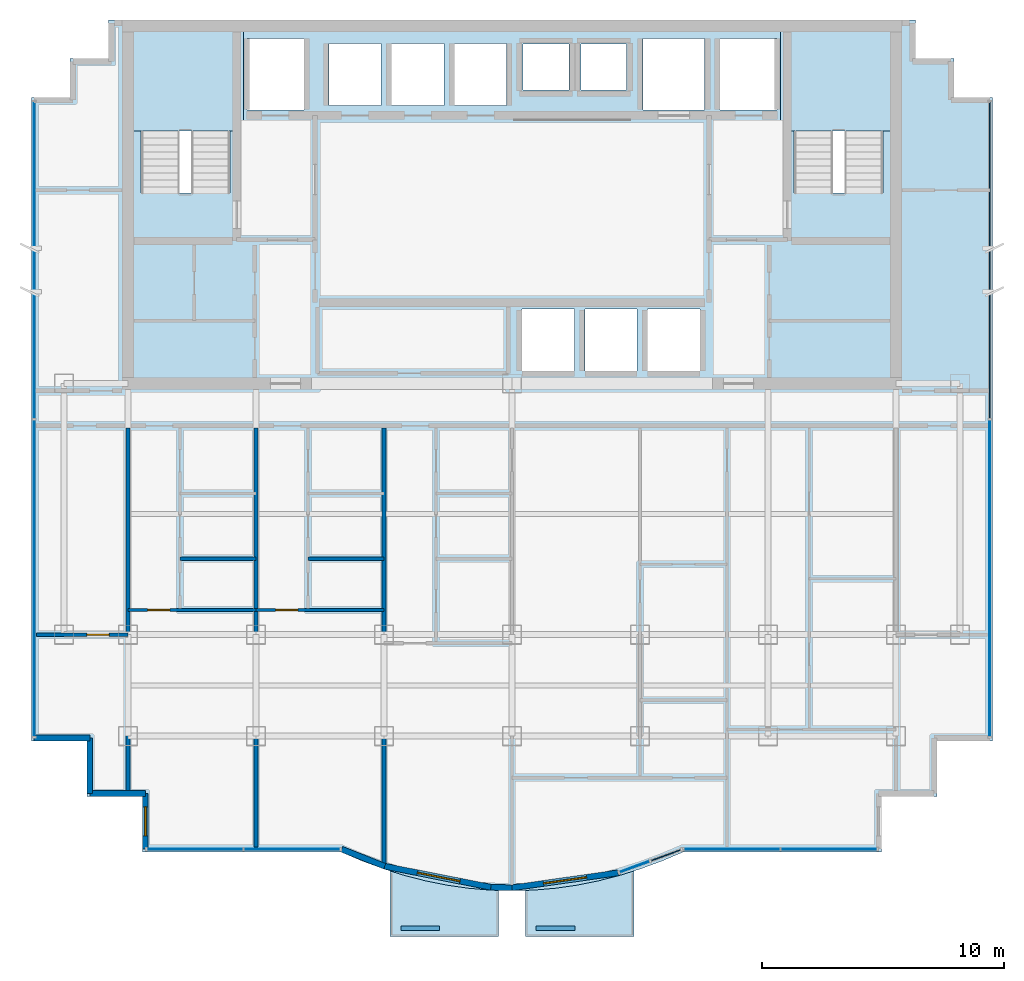
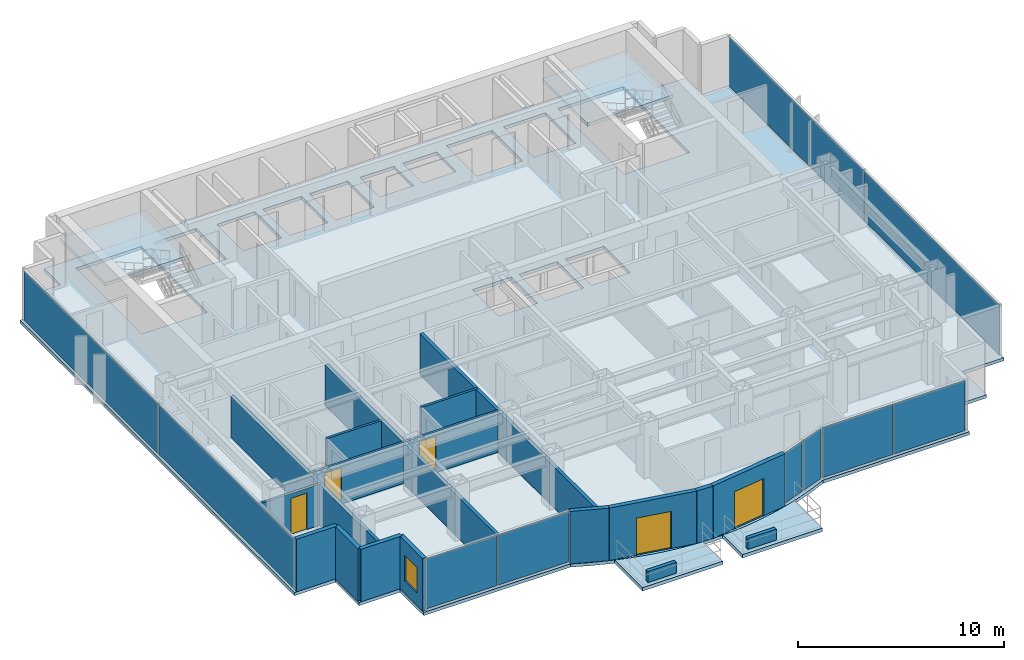
# One storey, part 6 of 12: 18 walls, 10 plates, 5 doors, 5 slabs, 1 window, 6 openings, 7 elements without a shape of their own.
"""IFC4 building model written with IfcOpenShell, lengths in metres."""

from ifc_helpers import new_model, si_unit, direction, frame, frame_2d, origin, origin_2d, place, context, subcontext, project, spatial, polyline, rectangle, outline, extrude, source, transform, mapped, material, layer, layer_set, type_object, element, fill, aggregate, save


model = new_model("IFC4")

# Units and contexts
model_context = context("Model", 3, precision=1e-05, world=origin(), true_north=direction((0.0, 1.0)))
body_context = subcontext(model_context, "Body", "Model", "MODEL_VIEW")
ifc_project = project(units=[si_unit("LENGTHUNIT", "METRE"), si_unit("AREAUNIT", "SQUARE_METRE"), si_unit("VOLUMEUNIT", "CUBIC_METRE"), si_unit("PLANEANGLEUNIT", "RADIAN"), si_unit("MASSUNIT", "GRAM", prefix="KILO")], contexts=[model_context])

# Site, building, storey
site_placement = place(None, origin())
site = spatial("IfcSite", under=ifc_project, at=site_placement, CompositionType="ELEMENT")
building_placement = place(site_placement, origin())
building = spatial("IfcBuilding", under=site, at=building_placement, Name="Qianlan Lanfeng Residences", CompositionType="ELEMENT")
storey_placement = place(building_placement, frame((0.0, 0.0, 196.699951171875)))
storey = spatial("IfcBuildingStorey", under=building, at=storey_placement, Name="L53", CompositionType="ELEMENT", Elevation=196.699951171875)

# Slabs
ifc_material_1 = material(Name="Concrete C42", Category="concrete")
ifc_layer_1 = layer(ifc_material_1, 0.199951171875)
ifc_layer_set_1 = layer_set([ifc_layer_1], Name="Concrete C42")
slab_type_1 = type_object("IfcSlabType", Name="S-BAL-200", PredefinedType="FLOOR", material=ifc_layer_set_1)
slab_1_placement = place(storey_placement, frame((0.0, 0.0, -0.199951171875)))
element("IfcSlab", 1, at=slab_1_placement, inside=storey, type_object=slab_type_1, Name="L53 Planted Tree Balcony Slab SB-W", PredefinedType="FLOOR", context=body_context, shape_type="SweptSolid", body=[
    extrude(outline(polyline([(25.949951171875, 4.216064453125), (25.614990234375, 4.22509765625), (24.72998046875, 4.300048828125), (23.844970703125, 4.425048828125), (22.9599609375, 4.60009765625), (22.074951171875, 4.824951171875), (21.449951171875, 5.01904296875), (21.449951171875, 2.300048828125), (25.949951171875, 2.300048828125), (25.949951171875, 4.216064453125)])), origin(), (0.0, 0.0, 1.0), 0.199951171875),
])
slab_2_placement = place(storey_placement, frame((0.0, 0.0, -0.199951171875)))
element("IfcSlab", 2, at=slab_2_placement, inside=storey, type_object=slab_type_1, Name="L53 Planted Tree Balcony Slab SB-E", PredefinedType="FLOOR", context=body_context, shape_type="SweptSolid", body=[
    extrude(outline(polyline([(31.550048828125, 5.01904296875), (30.925048828125, 4.824951171875), (30.0400390625, 4.60009765625), (29.155029296875, 4.425048828125), (28.27001953125, 4.300048828125), (27.385009765625, 4.22509765625), (27.050048828125, 4.216064453125), (27.050048828125, 2.300048828125), (31.550048828125, 2.300048828125), (31.550048828125, 5.01904296875)])), origin(), (0.0, 0.0, 1.0), 0.199951171875),
])
ifc_layer_2 = layer(ifc_material_1, 0.18994140625)
ifc_layer_set_2 = layer_set([ifc_layer_2], Name="Concrete C42")
slab_type_2 = type_object("IfcSlabType", Name="S-FL-190", PredefinedType="FLOOR", material=ifc_layer_set_2)
slab_3_placement = place(storey_placement, frame((0.0, 0.0, -0.18994140625)))
element("IfcSlab", 3, at=slab_3_placement, inside=storey, type_object=slab_type_2, Name="L53 Structural Floor Slab", PredefinedType="FLOOR", context=body_context, shape_type="SweptSolid", body=[
    extrude(outline(polyline([(6.60009765625, 10.39990234375), (8.89990234375, 10.39990234375), (8.89990234375, 8.10009765625), (11.199951171875, 8.10009765625), (11.199951171875, 5.800048828125), (19.419921875, 5.800048828125), (20.304931640625, 5.425048828125), (21.18994140625, 5.10009765625), (22.074951171875, 4.824951171875), (22.9599609375, 4.60009765625), (23.844970703125, 4.425048828125), (24.72998046875, 4.300048828125), (25.614990234375, 4.22509765625), (26.5, 4.199951171875), (27.385009765625, 4.22509765625), (28.27001953125, 4.300048828125), (29.155029296875, 4.425048828125), (30.0400390625, 4.60009765625), (30.925048828125, 4.824951171875), (31.81005859375, 5.10009765625), (32.695068359375, 5.425048828125), (33.580078125, 5.800048828125), (41.800048828125, 5.800048828125), (41.800048828125, 8.10009765625), (44.10009765625, 8.10009765625), (44.10009765625, 10.39990234375), (46.39990234375, 10.39990234375), (46.39990234375, 37.050048828125), (44.800048828125, 37.050048828125), (44.800048828125, 38.64990234375), (43.199951171875, 38.64990234375), (43.199951171875, 40.25), (9.800048828125, 40.25), (9.800048828125, 38.64990234375), (8.199951171875, 38.64990234375), (8.199951171875, 37.050048828125), (6.60009765625, 37.050048828125), (6.60009765625, 10.39990234375)]), holes=[polyline([(11.139892578125, 33.080078125), (11.139892578125, 39.5), (14.820068359375, 39.5), (14.820068359375, 33.080078125), (11.139892578125, 33.080078125)]), polyline([(38.179931640625, 33.080078125), (38.179931640625, 39.5), (41.860107421875, 39.5), (41.860107421875, 33.080078125), (38.179931640625, 33.080078125)]), polyline([(15.52001953125, 36.52001953125), (15.52001953125, 39.47998046875), (17.8798828125, 39.47998046875), (17.8798828125, 36.52001953125), (15.52001953125, 36.52001953125)]), polyline([(35.1201171875, 36.52001953125), (35.1201171875, 39.47998046875), (37.47998046875, 39.47998046875), (37.47998046875, 36.52001953125), (35.1201171875, 36.52001953125)]), polyline([(31.919921875, 36.52001953125), (31.919921875, 39.47998046875), (34.47998046875, 39.47998046875), (34.47998046875, 36.52001953125), (31.919921875, 36.52001953125)]), polyline([(26.919921875, 25.719970703125), (26.919921875, 28.280029296875), (29.080078125, 28.280029296875), (29.080078125, 25.719970703125), (26.919921875, 25.719970703125)]), polyline([(29.52001953125, 25.719970703125), (29.52001953125, 28.280029296875), (31.679931640625, 28.280029296875), (31.679931640625, 25.719970703125), (29.52001953125, 25.719970703125)]), polyline([(32.1201171875, 25.719970703125), (32.1201171875, 28.280029296875), (34.280029296875, 28.280029296875), (34.280029296875, 25.719970703125), (32.1201171875, 25.719970703125)]), polyline([(18.919921875, 36.719970703125), (18.919921875, 39.280029296875), (21.080078125, 39.280029296875), (21.080078125, 36.719970703125), (18.919921875, 36.719970703125)]), polyline([(21.52001953125, 36.719970703125), (21.52001953125, 39.280029296875), (23.679931640625, 39.280029296875), (23.679931640625, 36.719970703125), (21.52001953125, 36.719970703125)]), polyline([(24.1201171875, 36.719970703125), (24.1201171875, 39.280029296875), (26.280029296875, 39.280029296875), (26.280029296875, 36.719970703125), (24.1201171875, 36.719970703125)]), polyline([(26.949951171875, 37.35009765625), (26.949951171875, 39.25), (28.85009765625, 39.25), (28.85009765625, 37.35009765625), (26.949951171875, 37.35009765625)]), polyline([(29.35009765625, 37.35009765625), (29.35009765625, 39.25), (31.25, 39.25), (31.25, 37.35009765625), (29.35009765625, 37.35009765625)])]), origin(), (0.0, 0.0, 1.0), 0.18994140625),
])

# Stair, slab
stair_type = type_object("IfcStairType", Name="STR-MAIN", PredefinedType="HALF_TURN_STAIR", material=ifc_material_1)
stair_1_placement = place(storey_placement, origin())
stair_1 = element("IfcStair", 4, at=stair_1_placement, inside=storey, type_object=stair_type, Name="L53 Exit Stair ST-1", PredefinedType="HALF_TURN_STAIR")
ifc_layer_3 = layer(ifc_material_1, 0.179931640625)
ifc_layer_set_3 = layer_set([ifc_layer_3], Name="Concrete C42")
slab_type_3 = type_object("IfcSlabType", Name="S-LND-180", PredefinedType="LANDING", material=ifc_layer_set_3)
slab_4_placement = place(storey_placement, frame((0.0, 0.0, 1.449951171875)))
slab_4 = element("IfcSlab", 5, at=slab_4_placement, type_object=slab_type_3, Name="ST-1 landing 1", PredefinedType="LANDING", context=body_context, shape_type="SweptSolid", body=[
    extrude(outline(polyline([(10.580078125, 35.659912109375), (15.3798828125, 35.659912109375), (15.3798828125, 40.050048828125), (10.580078125, 40.050048828125), (10.580078125, 35.659912109375)])), origin(), (0.0, 0.0, 1.0), 0.2001953125),
])
aggregate(stair_1, [slab_4])

stair_2_placement = place(storey_placement, origin())
stair_2 = element("IfcStair", 6, at=stair_2_placement, inside=storey, type_object=stair_type, Name="L53 Exit Stair ST-2", PredefinedType="HALF_TURN_STAIR")
slab_5_placement = place(storey_placement, frame((0.0, 0.0, 1.449951171875)))
slab_5 = element("IfcSlab", 7, at=slab_5_placement, type_object=slab_type_3, Name="ST-2 landing 1", PredefinedType="LANDING", context=body_context, shape_type="SweptSolid", body=[
    extrude(outline(polyline([(37.6201171875, 35.659912109375), (42.419921875, 35.659912109375), (42.419921875, 40.050048828125), (37.6201171875, 40.050048828125), (37.6201171875, 35.659912109375)])), origin(), (0.0, 0.0, 1.0), 0.2001953125),
])
aggregate(stair_2, [slab_5])

# Curtain wall, plates
ifc_material_2 = material(Name="Anodised Bronze Aluminium 6063-T6", Category="aluminium")
ifc_layer_4 = layer(ifc_material_2, 0.219970703125)
ifc_layer_set_4 = layer_set([ifc_layer_4], Name="Anodised Bronze Aluminium 6063-T6")
curtain_wall_type = type_object("IfcCurtainWallType", Name="CW-05", PredefinedType="NOTDEFINED", material=ifc_layer_set_4)
curtain_wall_1_placement = place(storey_placement, origin())
curtain_wall_1 = element("IfcCurtainWall", 8, at=curtain_wall_1_placement, inside=storey, type_object=curtain_wall_type, Name="L53 Unitised Curtain Wall CWR-L53-01 (CW-05)", PredefinedType="NOTDEFINED")
ifc_material_3 = material(Name="Dark Bronze Tinted Insulated Glass", Category="glass")
ifc_layer_5 = layer(ifc_material_3, 0.0380859375)
ifc_layer_set_5 = layer_set([ifc_layer_5], Name="Dark Bronze Tinted Insulated Glass")
plate_type_1 = type_object("IfcPlateType", Name="PNL-GLZ-BRZ", PredefinedType="CURTAIN_PANEL", material=ifc_layer_set_5)
shared_shape_1 = source(origin(), body_context, "Body", "SweptSolid", [
    extrude(rectangle(XDim=3.951416015625, YDim=0.0380859375, at=origin_2d()), origin(), (0.0, 0.0, 1.0), 2.9619140625),
])
plate_1_placement = place(storey_placement, frame((13.36962890625, 5.919921875, 0.073974609375), z_axis=(0.0, 0.0, 1.0), x_axis=(1.0, 0.0, 0.0)))
plate_1 = element("IfcPlate", 9, at=plate_1_placement, type_object=plate_type_1, Name="CWR-L53-01 Curtain Panel 1", PredefinedType="CURTAIN_PANEL", context=body_context, shape_type="MappedRepresentation", body=[
    mapped(shared_shape_1, transform((0.0, 0.0, 0.0), scale=1.0)),
])
plate_2_placement = place(storey_placement, frame((17.394287109375, 5.919921875, 0.073974609375), z_axis=(0.0, 0.0, 1.0), x_axis=(1.0, 0.0, 0.0)))
plate_2 = element("IfcPlate", 10, at=plate_2_placement, type_object=plate_type_1, Name="CWR-L53-01 Curtain Panel 2", PredefinedType="CURTAIN_PANEL", context=body_context, shape_type="MappedRepresentation", body=[
    mapped(shared_shape_1, transform((0.0, 0.0, 0.0), scale=1.0)),
])
aggregate(curtain_wall_1, [plate_1, plate_2])

curtain_wall_2_placement = place(storey_placement, origin())
curtain_wall_2 = element("IfcCurtainWall", 11, at=curtain_wall_2_placement, inside=storey, type_object=curtain_wall_type, Name="L53 Unitised Curtain Wall CWR-L53-03 (CW-05)", PredefinedType="NOTDEFINED")
plate_3_placement = place(storey_placement, frame((35.605712890625, 5.919921875, 0.073974609375), z_axis=(0.0, 0.0, 1.0), x_axis=(1.0, 0.0, 0.0)))
plate_3 = element("IfcPlate", 12, at=plate_3_placement, type_object=plate_type_1, Name="CWR-L53-03 Curtain Panel 1", PredefinedType="CURTAIN_PANEL", context=body_context, shape_type="MappedRepresentation", body=[
    mapped(shared_shape_1, transform((0.0, 0.0, 0.0), scale=1.0)),
])
plate_4_placement = place(storey_placement, frame((39.630126953125, 5.919921875, 0.073974609375), z_axis=(0.0, 0.0, 1.0), x_axis=(1.0, 0.0, 0.0)))
plate_4 = element("IfcPlate", 13, at=plate_4_placement, type_object=plate_type_1, Name="CWR-L53-03 Curtain Panel 2", PredefinedType="CURTAIN_PANEL", context=body_context, shape_type="MappedRepresentation", body=[
    mapped(shared_shape_1, transform((0.0, 0.0, 0.0), scale=1.0)),
])
aggregate(curtain_wall_2, [plate_3, plate_4])

curtain_wall_3_placement = place(storey_placement, origin())
curtain_wall_3 = element("IfcCurtainWall", 14, at=curtain_wall_3_placement, inside=storey, type_object=curtain_wall_type, Name="L53 Unitised Curtain Wall CWR-L53-02 (CW-05)", PredefinedType="NOTDEFINED")
shared_shape_2 = source(origin(), body_context, "Body", "SweptSolid", [
    extrude(rectangle(XDim=1.30859375, YDim=0.0380859375, at=origin_2d()), origin(), (0.0, 0.0, 1.0), 2.9619140625),
])
plate_5_placement = place(storey_placement, frame((31.57568359375, 5.192138671875, 0.073974609375), z_axis=(0.0, 0.0, 1.0), x_axis=(0.938625538563, 0.344937818101, 0.0)))
plate_5 = element("IfcPlate", 15, at=plate_5_placement, type_object=plate_type_1, Name="CWR-L53-02 Curtain Panel 1", PredefinedType="CURTAIN_PANEL", context=body_context, shape_type="MappedRepresentation", body=[
    mapped(shared_shape_2, transform((0.0, 0.0, 0.0), scale=1.0)),
])
ifc_material_4 = material(Name="Perforated Anodised Bronze Aluminium Panel", Category="aluminium")
ifc_layer_6 = layer(ifc_material_4, 0.0419921875)
ifc_layer_set_6 = layer_set([ifc_layer_6], Name="Perforated Anodised Bronze Aluminium Panel")
plate_type_2 = type_object("IfcPlateType", Name="PNL-PRF-BRZ", PredefinedType="CURTAIN_PANEL", material=ifc_layer_set_6)
shared_shape_3 = source(origin(), body_context, "Body", "SweptSolid", [
    extrude(rectangle(XDim=1.30859375, YDim=0.0419921875, at=origin_2d()), origin(), (0.0, 0.0, 1.0), 2.9619140625),
])
plate_6_placement = place(storey_placement, frame((32.872314453125, 5.668701171875, 0.073974609375), z_axis=(0.0, 0.0, 1.0), x_axis=(0.938625538563, 0.344937818101, 0.0)))
plate_6 = element("IfcPlate", 16, at=plate_6_placement, type_object=plate_type_2, Name="CWR-L53-02 Curtain Panel 2", PredefinedType="CURTAIN_PANEL", context=body_context, shape_type="MappedRepresentation", body=[
    mapped(shared_shape_3, transform((0.0, 0.0, 0.0), scale=1.0)),
])
aggregate(curtain_wall_3, [plate_5, plate_6])

# Curtain wall, plate
curtain_wall_4_placement = place(storey_placement, origin())
curtain_wall_4 = element("IfcCurtainWall", 17, at=curtain_wall_4_placement, inside=storey, type_object=curtain_wall_type, Name="L53 Unitised Curtain Wall CWR-L53-04 (CW-05)", PredefinedType="NOTDEFINED")
shared_shape_4 = source(origin(), body_context, "Body", "SweptSolid", [
    extrude(rectangle(XDim=13.094482421875, YDim=0.0380859375, at=origin_2d()), origin(), (0.0, 0.0, 1.0), 2.9619140625),
])
plate_7_placement = place(storey_placement, frame((46.280029296875, 17.14111328125, 0.073974609375), z_axis=(0.0, 0.0, 1.0), x_axis=(0.0, 1.0, 0.0)))
plate_7 = element("IfcPlate", 18, at=plate_7_placement, type_object=plate_type_1, Name="CWR-L53-04 Curtain Panel 1", PredefinedType="CURTAIN_PANEL", context=body_context, shape_type="MappedRepresentation", body=[
    mapped(shared_shape_4, transform((0.0, 0.0, 0.0), scale=1.0)),
])

# Curtain wall, plates
curtain_wall_5_placement = place(storey_placement, origin())
curtain_wall_5 = element("IfcCurtainWall", 19, at=curtain_wall_5_placement, inside=storey, type_object=curtain_wall_type, Name="L53 Unitised Curtain Wall CWR-L53-05 (CW-05)", PredefinedType="NOTDEFINED")
plate_8_placement = place(storey_placement, frame((6.719970703125, 30.30859375, 0.073974609375), z_axis=(0.0, 0.0, 1.0), x_axis=(0.0, -1.0, 0.0)))
plate_8 = element("IfcPlate", 20, at=plate_8_placement, type_object=plate_type_1, Name="CWR-L53-05 Curtain Panel 1", PredefinedType="CURTAIN_PANEL", context=body_context, shape_type="MappedRepresentation", body=[
    mapped(shared_shape_4, transform((0.0, 0.0, 0.0), scale=1.0)),
])
plate_9_placement = place(storey_placement, frame((6.719970703125, 17.14111328125, 0.073974609375), z_axis=(0.0, 0.0, 1.0), x_axis=(0.0, -1.0, 0.0)))
plate_9 = element("IfcPlate", 21, at=plate_9_placement, type_object=plate_type_1, Name="CWR-L53-05 Curtain Panel 2", PredefinedType="CURTAIN_PANEL", context=body_context, shape_type="MappedRepresentation", body=[
    mapped(shared_shape_4, transform((0.0, 0.0, 0.0), scale=1.0)),
])
aggregate(curtain_wall_5, [plate_8, plate_9])

# Plate
shared_shape_5 = source(origin(), body_context, "Body", "SweptSolid", [
    extrude(rectangle(XDim=13.094482421875, YDim=0.0419921875, at=origin_2d()), origin(), (0.0, 0.0, 1.0), 2.9619140625),
])
plate_10_placement = place(storey_placement, frame((46.280029296875, 30.30859375, 0.073974609375), z_axis=(0.0, 0.0, 1.0), x_axis=(0.0, 1.0, 0.0)))
plate_10 = element("IfcPlate", 22, at=plate_10_placement, type_object=plate_type_2, Name="CWR-L53-04 Curtain Panel 2", PredefinedType="CURTAIN_PANEL", context=body_context, shape_type="MappedRepresentation", body=[
    mapped(shared_shape_5, transform((0.0, 0.0, 0.0), scale=1.0)),
])

aggregate(curtain_wall_4, [plate_7, plate_10])

# Walls
ifc_layer_7 = layer(ifc_material_1, 0.239990234375)
ifc_layer_set_7 = layer_set([ifc_layer_7], Name="Concrete C42")
wall_type_1 = type_object("IfcWallType", Name="EW-240", PredefinedType="SOLIDWALL", material=ifc_layer_set_7)
for number, where, z_axis, x_axis, name in (
    (23, (6.719970703125, 10.52001953125, 0.0), (0.0, 0.0, 1.0), (1.0, 0.0, 0.0), "L53 Exterior Facade Spandrel Wall 1"),
    (24, (9.02001953125, 10.52001953125, 0.0), (0.0, 0.0, 1.0), (0.0, -1.0, 0.0), "L53 Exterior Facade Spandrel Wall 2"),
    (25, (9.02001953125, 8.219970703125, 0.0), (0.0, 0.0, 1.0), (1.0, 0.0, 0.0), "L53 Exterior Facade Spandrel Wall 3"),
):
    element("IfcWall", number, at=place(storey_placement, frame(where, z_axis=z_axis, x_axis=x_axis)), inside=storey, type_object=wall_type_1, Name=name, PredefinedType="SOLIDWALL", context=body_context, shape_type="SweptSolid", body=[
        extrude(rectangle(XDim=2.300048828125, YDim=0.239990234375, at=frame_2d((1.14990234375, 0.0))), origin(), (0.0, 0.0, 1.0), 3.110107421875),
    ])

# Wall, opening, window
wall_1_placement = place(storey_placement, frame((11.320068359375, 8.219970703125, 0.0), z_axis=(0.0, 0.0, 1.0), x_axis=(0.0, -1.0, 0.0)))
wall_1 = element("IfcWall", 26, at=wall_1_placement, inside=storey, type_object=wall_type_1, Name="L53 Exterior Facade Spandrel Wall 4", PredefinedType="SOLIDWALL", context=body_context, shape_type="SweptSolid", body=[
    extrude(rectangle(XDim=2.300048828125, YDim=0.239990234375, at=frame_2d((1.14990234375, 0.0))), origin(), (0.0, 0.0, 1.0), 3.110107421875),
])
opening_1_placement = place(wall_1_placement, frame((0.550048828125, 0.0, 0.75)))
opening_1 = element("IfcOpeningElement", 27, at=opening_1_placement, cuts=wall_1, Name="Opening W-03", PredefinedType="OPENING", context=body_context, shape_type="SweptSolid", body=[
    extrude(rectangle(XDim=1.199951171875, YDim=1.5, at=frame_2d((0.60009765625, 0.75))), frame((0.0, 0.1298828125, 0.0), z_axis=(0.0, -1.0, 0.0), x_axis=(1.0, 0.0, 0.0)), (0.0, 0.0, 1.0), 0.260009765625),
])
ifc_material_5 = material(Name="Anodised Bronze Aluminium Framed Double Glazing", Category="aluminium")
window_type = type_object("IfcWindowType", Name="W-03", PartitioningType="SINGLE_PANEL", PredefinedType="WINDOW", material=ifc_material_5)
window_placement = place(opening_1_placement, origin())
window = element("IfcWindow", 28, at=window_placement, inside=storey, type_object=window_type, Name="L53 Facade Punched Window W-03", OverallHeight=1.5, OverallWidth=1.199951171875, PartitioningType="SINGLE_PANEL", PredefinedType="WINDOW", context=body_context, shape_type="SweptSolid", body=[
    extrude(rectangle(XDim=1.199951171875, YDim=1.5, at=frame_2d((0.60009765625, 0.75))), frame((0.0, 0.030029296875, 0.0), z_axis=(0.0, -1.0, 0.0), x_axis=(1.0, 0.0, 0.0)), (0.0, 0.0, 1.0), 0.06005859375),
])
fill(opening_1, window)

# Wall
wall_2_placement = place(storey_placement, frame((19.444091796875, 5.919921875, 0.0), z_axis=(0.0, 0.0, 1.0), x_axis=(0.92993442177, -0.367725401906, 0.0)))
element("IfcWall", 29, at=wall_2_placement, inside=storey, type_object=wall_type_1, Name="L53 Exterior Facade Spandrel Wall 5", PredefinedType="SOLIDWALL", context=body_context, shape_type="SweptSolid", body=[
    extrude(rectangle(XDim=1.91943359375, YDim=0.239990234375, at=frame_2d((0.959716796875, 0.0))), origin(), (0.0, 0.0, 1.0), 3.110107421875),
])

# Wall, opening, door
wall_3_placement = place(storey_placement, frame((21.22900390625, 5.214111328125, 0.0), z_axis=(0.0, 0.0, 1.0), x_axis=(0.980985349685, -0.194081796425, 0.0)))
wall_3 = element("IfcWall", 30, at=wall_3_placement, inside=storey, type_object=wall_type_1, Name="L53 Terrace/Balcony Access Exterior Wall 6", PredefinedType="SOLIDWALL", context=body_context, shape_type="SweptSolid", body=[
    extrude(rectangle(XDim=4.478271484375, YDim=0.239990234375, at=frame_2d((2.2392578125, 0.0))), origin(), (0.0, 0.0, 1.0), 3.110107421875),
])
opening_2_placement = place(wall_3_placement, frame((1.381103515625, 0.0, 0.0)))
opening_2 = element("IfcOpeningElement", 31, at=opening_2_placement, cuts=wall_3, Name="Opening L53-D-SB-W", PredefinedType="OPENING", context=body_context, shape_type="SweptSolid", body=[
    extrude(rectangle(XDim=1.800048828125, YDim=2.199951171875, at=frame_2d((0.89990234375, 1.10009765625))), frame((0.0, 0.1298828125, 0.0), z_axis=(0.0, -1.0, 0.0), x_axis=(1.0, 0.0, 0.0)), (0.0, 0.0, 1.0), 0.260009765625),
])
ifc_material_6 = material(Name="Anodised Bronze Aluminium Framed Glass", Category="aluminium")
door_type_1 = type_object("IfcDoorType", Name="DT-BAL1", OperationType="NOTDEFINED", PredefinedType="DOOR", material=ifc_material_6)
door_1_placement = place(opening_2_placement, frame((1.800048828125, 0.0, 0.0), z_axis=(0.0, 0.0, 1.0), x_axis=(-1.0, 0.0, 0.0)))
door_1 = element("IfcDoor", 32, at=door_1_placement, inside=storey, type_object=door_type_1, Name="L53 Exterior Access Door SB-W", OperationType="DOUBLE_DOOR_SLIDING", OverallHeight=2.199951171875, OverallWidth=1.800048828125, PredefinedType="DOOR", context=body_context, shape_type="SweptSolid", body=[
    extrude(rectangle(XDim=1.800048828125, YDim=2.199951171875, at=frame_2d((0.89990234375, 1.10009765625))), frame((0.0, 0.02490234375, 0.0), z_axis=(0.0, -1.0, 0.0), x_axis=(1.0, 0.0, 0.0)), (0.0, 0.0, 1.0), 0.050048828125),
])
fill(opening_2, door_1)

# Wall
wall_4_placement = place(storey_placement, frame((25.6220703125, 4.344970703125, 0.0), z_axis=(0.0, 0.0, 1.0), x_axis=(0.999597960231, -0.028353446035, 0.0)))
element("IfcWall", 33, at=wall_4_placement, inside=storey, type_object=wall_type_1, Name="L53 Exterior Facade Spandrel Wall 7", PredefinedType="SOLIDWALL", context=body_context, shape_type="SweptSolid", body=[
    extrude(rectangle(XDim=0.878173828125, YDim=0.239990234375, at=frame_2d((0.43896484375, 0.0))), origin(), (0.0, 0.0, 1.0), 3.110107421875),
])

# Wall, opening, door
wall_5_placement = place(storey_placement, frame((26.5, 4.320068359375, 0.0), z_axis=(0.0, 0.0, 1.0), x_axis=(0.990156470874, 0.139964864115, 0.0)))
wall_5 = element("IfcWall", 34, at=wall_5_placement, inside=storey, type_object=wall_type_1, Name="L53 Terrace/Balcony Access Exterior Wall 8", PredefinedType="SOLIDWALL", context=body_context, shape_type="SweptSolid", body=[
    extrude(rectangle(XDim=4.435791015625, YDim=0.239990234375, at=frame_2d((2.2177734375, 0.0))), origin(), (0.0, 0.0, 1.0), 3.110107421875),
])
opening_3_placement = place(wall_5_placement, frame((1.318115234375, 0.0, 0.0)))
opening_3 = element("IfcOpeningElement", 35, at=opening_3_placement, cuts=wall_5, Name="Opening L53-D-SB-E", PredefinedType="OPENING", context=body_context, shape_type="SweptSolid", body=[
    extrude(rectangle(XDim=1.800048828125, YDim=2.199951171875, at=frame_2d((0.89990234375, 1.10009765625))), frame((0.0, 0.1298828125, 0.0), z_axis=(0.0, -1.0, 0.0), x_axis=(1.0, 0.0, 0.0)), (0.0, 0.0, 1.0), 0.260009765625),
])
door_2_placement = place(opening_3_placement, frame((1.800048828125, 0.0, 0.0), z_axis=(0.0, 0.0, 1.0), x_axis=(-1.0, 0.0, 0.0)))
door_2 = element("IfcDoor", 36, at=door_2_placement, inside=storey, type_object=door_type_1, Name="L53 Exterior Access Door SB-E", OperationType="DOUBLE_DOOR_SLIDING", OverallHeight=2.199951171875, OverallWidth=1.800048828125, PredefinedType="DOOR", context=body_context, shape_type="SweptSolid", body=[
    extrude(rectangle(XDim=1.800048828125, YDim=2.199951171875, at=frame_2d((0.89990234375, 1.10009765625))), frame((0.0, 0.02490234375, 0.0), z_axis=(0.0, -1.0, 0.0), x_axis=(1.0, 0.0, 0.0)), (0.0, 0.0, 1.0), 0.050048828125),
])
fill(opening_3, door_2)

# Walls
ifc_layer_8 = layer(ifc_material_1, 0.199951171875)
ifc_layer_set_8 = layer_set([ifc_layer_8], Name="Concrete C42")
wall_type_2 = type_object("IfcWallType", Name="PL-TREE-200", PredefinedType="PARAPET", material=ifc_layer_set_8)
for number, where, z_axis, x_axis, name in (
    (37, (21.89990234375, 2.64990234375, 0.0), (0.0, 0.0, 1.0), (1.0, 0.0, 0.0), "L53 Balcony Tree Planter Curb SB-W"),
    (38, (27.5, 2.64990234375, 0.0), (0.0, 0.0, 1.0), (1.0, 0.0, 0.0), "L53 Balcony Tree Planter Curb SB-E"),
):
    element("IfcWall", number, at=place(storey_placement, frame(where, z_axis=z_axis, x_axis=x_axis)), inside=storey, type_object=wall_type_2, Name=name, PredefinedType="PARAPET", context=body_context, shape_type="SweptSolid", body=[
        extrude(rectangle(XDim=1.60009765625, YDim=0.199951171875, at=frame_2d((0.800048828125, 0.0))), origin(), (0.0, 0.0, 1.0), 0.650146484375),
    ])

# Wall, opening, door
ifc_material_7 = material(Name="Moisture-Resistant Gypsum Partition 135 mm")
ifc_layer_9 = layer(ifc_material_7, 0.135009765625)
ifc_layer_set_9 = layer_set([ifc_layer_9], Name="Moisture-Resistant Gypsum Partition 135 mm")
wall_type_3 = type_object("IfcWallType", Name="PW-135", PredefinedType="PARTITIONING", material=ifc_layer_set_9)
wall_6_placement = place(storey_placement, frame((10.60009765625, 15.820068359375, 0.0), z_axis=(0.0, 0.0, 1.0), x_axis=(1.0, 0.0, 0.0)))
wall_6 = element("IfcWall", 39, at=wall_6_placement, inside=storey, type_object=wall_type_3, Name="L53 U01 Living Divider", PredefinedType="PARTITIONING", context=body_context, shape_type="SweptSolid", body=[
    extrude(rectangle(XDim=5.2998046875, YDim=0.135009765625, at=frame_2d((2.64990234375, 0.0))), origin(), (0.0, 0.0, 1.0), 2.429931640625),
])
opening_4_placement = place(wall_6_placement, frame((0.81494140625, 0.0, 0.0)))
opening_4 = element("IfcOpeningElement", 40, at=opening_4_placement, cuts=wall_6, Name="Opening L53-D18", PredefinedType="OPENING", context=body_context, shape_type="SweptSolid", body=[
    extrude(rectangle(XDim=0.919921875, YDim=2.14990234375, at=frame_2d((0.4599609375, 1.074951171875))), frame((0.0, 0.07763671875, 0.0), z_axis=(0.0, -1.0, 0.0), x_axis=(1.0, 0.0, 0.0)), (0.0, 0.0, 1.0), 0.155029296875),
])
ifc_material_8 = material(Name="Glazed Timber Kitchen/Study Door", Category="wood")
door_type_2 = type_object("IfcDoorType", Name="DT-INT", OperationType="NOTDEFINED", PredefinedType="DOOR", material=ifc_material_8)
door_3_placement = place(opening_4_placement, origin())
door_3 = element("IfcDoor", 41, at=door_3_placement, inside=storey, type_object=door_type_2, Name="L53 U01 Living Passage Door L53-D18 (DT-INT)", OperationType="SINGLE_SWING_LEFT", OverallHeight=2.14990234375, OverallWidth=0.919921875, PredefinedType="DOOR", context=body_context, shape_type="SweptSolid", body=[
    extrude(rectangle(XDim=0.919921875, YDim=2.14990234375, at=frame_2d((0.4599609375, 1.074951171875))), frame((0.0, 0.02490234375, 0.0), z_axis=(0.0, -1.0, 0.0), x_axis=(1.0, 0.0, 0.0)), (0.0, 0.0, 1.0), 0.050048828125),
])
fill(opening_4, door_3)

# Wall
wall_7_placement = place(storey_placement, frame((12.75, 17.949951171875, 0.0), z_axis=(0.0, 0.0, 1.0), x_axis=(1.0, 0.0, 0.0)))
element("IfcWall", 42, at=wall_7_placement, inside=storey, type_object=wall_type_3, Name="L53 U01 Kitchen South Wall", PredefinedType="PARTITIONING", context=body_context, shape_type="SweptSolid", body=[
    extrude(rectangle(XDim=3.14990234375, YDim=0.135009765625, at=frame_2d((1.574951171875, 0.0))), origin(), (0.0, 0.0, 1.0), 2.429931640625),
])

# Wall, opening, door
wall_8_placement = place(storey_placement, frame((15.89990234375, 15.820068359375, 0.0), z_axis=(0.0, 0.0, 1.0), x_axis=(1.0, 0.0, 0.0)))
wall_8 = element("IfcWall", 43, at=wall_8_placement, inside=storey, type_object=wall_type_3, Name="L53 U02 Living Divider", PredefinedType="PARTITIONING", context=body_context, shape_type="SweptSolid", body=[
    extrude(rectangle(XDim=5.300048828125, YDim=0.135009765625, at=frame_2d((2.64990234375, 0.0))), origin(), (0.0, 0.0, 1.0), 2.429931640625),
])
opening_5_placement = place(wall_8_placement, frame((0.81494140625, 0.0, 0.0)))
opening_5 = element("IfcOpeningElement", 44, at=opening_5_placement, cuts=wall_8, Name="Opening L53-D23", PredefinedType="OPENING", context=body_context, shape_type="SweptSolid", body=[
    extrude(rectangle(XDim=0.919921875, YDim=2.14990234375, at=frame_2d((0.4599609375, 1.074951171875))), frame((0.0, 0.07763671875, 0.0), z_axis=(0.0, -1.0, 0.0), x_axis=(1.0, 0.0, 0.0)), (0.0, 0.0, 1.0), 0.155029296875),
])
door_4_placement = place(opening_5_placement, origin())
door_4 = element("IfcDoor", 45, at=door_4_placement, inside=storey, type_object=door_type_2, Name="L53 U02 Living Passage Door L53-D23 (DT-INT)", OperationType="SINGLE_SWING_LEFT", OverallHeight=2.14990234375, OverallWidth=0.919921875, PredefinedType="DOOR", context=body_context, shape_type="SweptSolid", body=[
    extrude(rectangle(XDim=0.919921875, YDim=2.14990234375, at=frame_2d((0.4599609375, 1.074951171875))), frame((0.0, 0.02490234375, 0.0), z_axis=(0.0, -1.0, 0.0), x_axis=(1.0, 0.0, 0.0)), (0.0, 0.0, 1.0), 0.050048828125),
])
fill(opening_5, door_4)

# Wall
wall_9_placement = place(storey_placement, frame((18.050048828125, 17.949951171875, 0.0), z_axis=(0.0, 0.0, 1.0), x_axis=(1.0, 0.0, 0.0)))
element("IfcWall", 46, at=wall_9_placement, inside=storey, type_object=wall_type_3, Name="L53 U02 Kitchen South Wall", PredefinedType="PARTITIONING", context=body_context, shape_type="SweptSolid", body=[
    extrude(rectangle(XDim=3.14990234375, YDim=0.135009765625, at=frame_2d((1.574951171875, 0.0))), origin(), (0.0, 0.0, 1.0), 2.429931640625),
])

# Wall, opening, door
wall_10_placement = place(storey_placement, frame((6.820068359375, 14.800048828125, 0.0), z_axis=(0.0, 0.0, 1.0), x_axis=(1.0, 0.0, 0.0)))
wall_10 = element("IfcWall", 47, at=wall_10_placement, inside=storey, type_object=wall_type_3, Name="L53 SWP Mid Partition", PredefinedType="PARTITIONING", context=body_context, shape_type="SweptSolid", body=[
    extrude(rectangle(XDim=3.780029296875, YDim=0.135009765625, at=frame_2d((1.89013671875, 0.0))), origin(), (0.0, 0.0, 1.0), 2.429931640625),
])
opening_6_placement = place(wall_10_placement, frame((2.080078125, 0.0, 0.0)))
opening_6 = element("IfcOpeningElement", 48, at=opening_6_placement, cuts=wall_10, Name="Opening L53-D41", PredefinedType="OPENING", context=body_context, shape_type="SweptSolid", body=[
    extrude(rectangle(XDim=0.919921875, YDim=2.14990234375, at=frame_2d((0.4599609375, 1.074951171875))), frame((0.0, 0.07763671875, 0.0), z_axis=(0.0, -1.0, 0.0), x_axis=(1.0, 0.0, 0.0)), (0.0, 0.0, 1.0), 0.155029296875),
])
door_5_placement = place(opening_6_placement, origin())
door_5 = element("IfcDoor", 49, at=door_5_placement, inside=storey, type_object=door_type_2, Name="L53 SWP Inner Door L53-D41 (DT-INT)", OperationType="SINGLE_SWING_LEFT", OverallHeight=2.14990234375, OverallWidth=0.919921875, PredefinedType="DOOR", context=body_context, shape_type="SweptSolid", body=[
    extrude(rectangle(XDim=0.919921875, YDim=2.14990234375, at=frame_2d((0.4599609375, 1.074951171875))), frame((0.0, 0.02490234375, 0.0), z_axis=(0.0, -1.0, 0.0), x_axis=(1.0, 0.0, 0.0)), (0.0, 0.0, 1.0), 0.050048828125),
])
fill(opening_6, door_5)

# Walls
ifc_material_9 = material(Name="Double-Layer Acoustic Gypsum Stud Wall 180 mm")
ifc_layer_10 = layer(ifc_material_9, 0.179931640625)
ifc_layer_set_10 = layer_set([ifc_layer_10], Name="Double-Layer Acoustic Gypsum Stud Wall 180 mm")
wall_type_4 = type_object("IfcWallType", Name="PW-180", PredefinedType="PARTITIONING", material=ifc_layer_set_10)
wall_11_placement = place(storey_placement, frame((10.60009765625, 8.320068359375, 0.0), z_axis=(0.0, 0.0, 1.0), x_axis=(0.0, 1.0, 0.0)))
element("IfcWall", 50, at=wall_11_placement, inside=storey, type_object=wall_type_4, Name="L53 Wing Boundary Party Wall W0", PredefinedType="PARTITIONING", context=body_context, shape_type="SweptSolid", body=[
    extrude(rectangle(XDim=15.030029296875, YDim=0.179931640625, at=frame_2d((7.51513671875, 0.0))), origin(), (0.0, 0.0, 1.0), 2.429931640625),
])
wall_12_placement = place(storey_placement, frame((15.89990234375, 6.02001953125, 0.0), z_axis=(0.0, 0.0, 1.0), x_axis=(0.0, 1.0, 0.0)))
element("IfcWall", 51, at=wall_12_placement, inside=storey, type_object=wall_type_4, Name="L53 Inter-Tenancy Party Wall 2", PredefinedType="PARTITIONING", context=body_context, shape_type="SweptSolid", body=[
    extrude(rectangle(XDim=17.330078125, YDim=0.179931640625, at=frame_2d((8.6650390625, 0.0))), origin(), (0.0, 0.0, 1.0), 2.429931640625),
])
wall_13_placement = place(storey_placement, frame((21.199951171875, 5.3310546875, 0.0), z_axis=(0.0, 0.0, 1.0), x_axis=(0.0, 1.0, 0.0)))
element("IfcWall", 52, at=wall_13_placement, inside=storey, type_object=wall_type_4, Name="L53 Inter-Tenancy Party Wall 3", PredefinedType="PARTITIONING", context=body_context, shape_type="SweptSolid", body=[
    extrude(rectangle(XDim=18.01904296875, YDim=0.179931640625, at=frame_2d((9.009521484375, 0.0))), origin(), (0.0, 0.0, 1.0), 2.429931640625),
])

save(model, "model.ifc")
